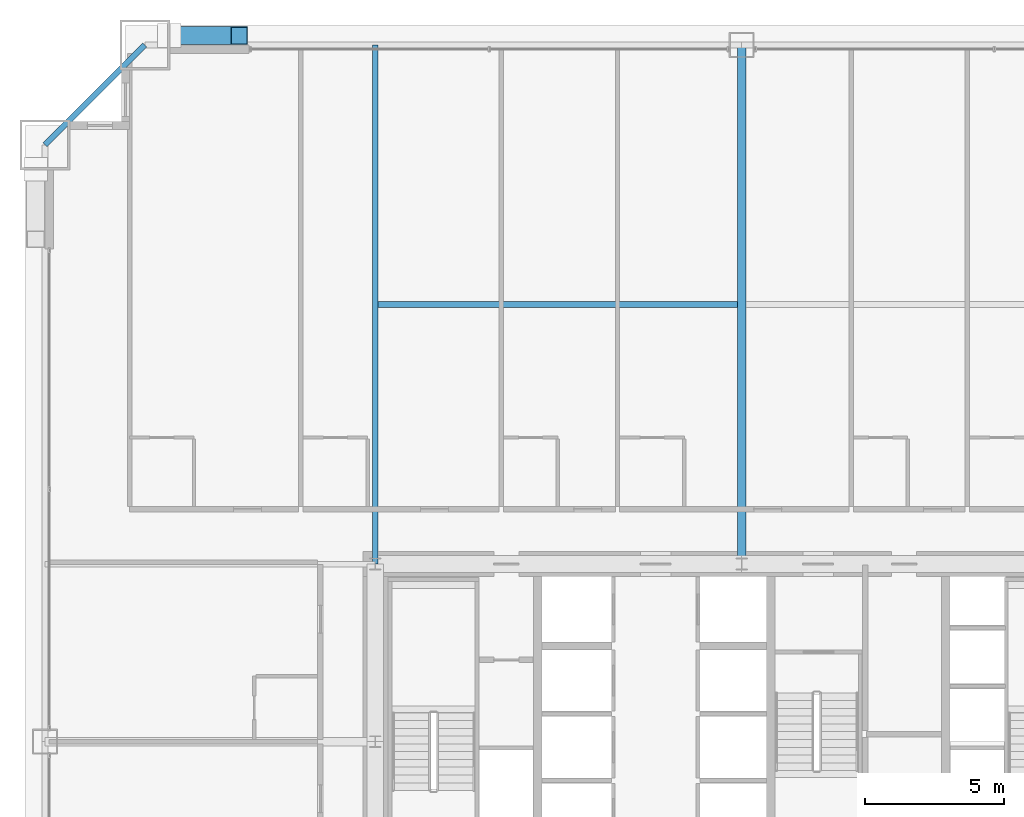
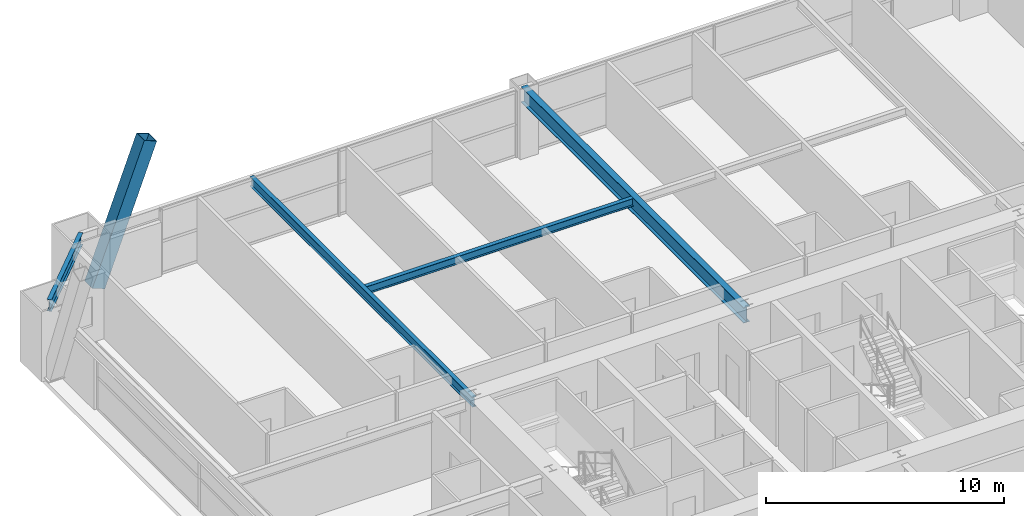
# One storey, part 25 of 43: 4 beams, 1 member.
"""IFC4 building model written with IfcOpenShell, lengths in metres."""

from ifc_helpers import new_model, si_unit, direction, frame, origin, origin_2d, place, context, subcontext, project, spatial, hollow_rectangle, i_section, extrude, source, transform, mapped, material, material_profile, profile_set, type_object, element, save


model = new_model("IFC4")

# Units and contexts
model_context = context("Model", 3, precision=1e-05, world=origin(), true_north=direction((0.0, 1.0)))
body_context = subcontext(model_context, "Body", "Model", "MODEL_VIEW")
ifc_project = project(units=[si_unit("LENGTHUNIT", "METRE"), si_unit("AREAUNIT", "SQUARE_METRE"), si_unit("VOLUMEUNIT", "CUBIC_METRE"), si_unit("PLANEANGLEUNIT", "RADIAN"), si_unit("MASSUNIT", "GRAM", prefix="KILO"), si_unit("THERMODYNAMICTEMPERATUREUNIT", "KELVIN"), si_unit("POWERUNIT", "WATT")], contexts=[model_context])

# Site, building, storey
site_placement = place(None, origin())
site = spatial("IfcSite", under=ifc_project, at=site_placement, CompositionType="ELEMENT")
building_placement = place(site_placement, origin())
building = spatial("IfcBuilding", under=site, at=building_placement, Name="Yuzanri Waterfront Tower", CompositionType="ELEMENT")
storey_placement = place(building_placement, frame((0.0, 0.0, 53.199951171875)))
storey = spatial("IfcBuildingStorey", under=building, at=storey_placement, Name="L13", CompositionType="ELEMENT", Elevation=53.199951171875)

# Beams
ifc_material_1 = material(Name="Steel Q355B", Category="steel")
ifc_material_profile_1 = material_profile(ifc_material_1, i_section(OverallWidth=0.199951171875, OverallDepth=0.60009765625, WebThickness=0.010986328125, FlangeThickness=0.01708984375, at=origin_2d()), Name="HN 600x200x11x17")
ifc_profile_set_1 = profile_set([ifc_material_profile_1], Name="Steel Q355B")
beam_type_1 = type_object("IfcBeamType", Name="Perimeter Spandrel Q355B HN 600x200", PredefinedType="SPANDREL", material=ifc_profile_set_1)
shared_shape_1 = source(origin(), body_context, "Body", "SweptSolid", [
    extrude(i_section(OverallWidth=0.199951171875, OverallDepth=0.60009765625, WebThickness=0.010986328125, FlangeThickness=0.01708984375, at=origin_2d()), origin(), (0.0, 0.0, 1.0), 5.091064453125),
])
beam_1_placement = place(storey_placement, frame((15.5, 50.89990234375, 3.080078125), z_axis=(-0.707130757816, -0.707082803744, 0.0), x_axis=(0.707082803744, -0.707130757816, 0.0)))
element("IfcBeam", 1, at=beam_1_placement, inside=storey, type_object=beam_type_1, Name="L13 Perimeter Spandrel N1-W3", PredefinedType="SPANDREL", context=body_context, shape_type="MappedRepresentation", body=[
    mapped(shared_shape_1, transform((0.0, 0.0, 0.0), scale=1.0)),
])
ifc_material_2 = material(Name="Steel Q355B", Category="steel")
ifc_material_profile_2 = material_profile(ifc_material_2, i_section(OverallWidth=0.300048828125, OverallDepth=0.800048828125, WebThickness=0.013916015625, FlangeThickness=0.02587890625, at=origin_2d()), Name="HN 800x300x14x26")
ifc_profile_set_2 = profile_set([ifc_material_profile_2], Name="Steel Q355B")
beam_type_2 = type_object("IfcBeamType", Name="Primary Floor Girder Q355B HN 800x300", PredefinedType="BEAM", material=ifc_profile_set_2)
shared_shape_2 = source(origin(), body_context, "Body", "SweptSolid", [
    extrude(i_section(OverallWidth=0.300048828125, OverallDepth=0.800048828125, WebThickness=0.013916015625, FlangeThickness=0.02587890625, at=origin_2d()), origin(), (0.0, 0.0, 1.0), 18.699951171875),
])
beam_2_placement = place(storey_placement, frame((37.0, 32.199951171875, 2.97998046875), z_axis=(0.0, 1.0, 0.0), x_axis=(-1.0, 0.0, 0.0)))
element("IfcBeam", 2, at=beam_2_placement, inside=storey, type_object=beam_type_2, Name="L13 North Grid Girder", PredefinedType="BEAM", context=body_context, shape_type="MappedRepresentation", body=[
    mapped(shared_shape_2, transform((0.0, 0.0, 0.0), scale=1.0)),
])
ifc_material_3 = material(Name="Steel Q355B", Category="steel")
ifc_material_profile_3 = material_profile(ifc_material_3, i_section(OverallWidth=0.199951171875, OverallDepth=0.5, WebThickness=0.010009765625, FlangeThickness=0.01611328125, at=origin_2d()), Name="HN 500x200x10x16")
ifc_profile_set_3 = profile_set([ifc_material_profile_3], Name="Steel Q355B")
beam_type_3 = type_object("IfcBeamType", Name="Secondary Floor Beam Q355B HN 500x200", PredefinedType="BEAM", material=ifc_profile_set_3)
shared_shape_3 = source(origin(), body_context, "Body", "SweptSolid", [
    extrude(i_section(OverallWidth=0.199951171875, OverallDepth=0.5, WebThickness=0.010009765625, FlangeThickness=0.01611328125, at=origin_2d()), origin(), (0.0, 0.0, 1.0), 18.699951171875),
])
beam_3_placement = place(storey_placement, frame((23.800048828125, 32.199951171875, 3.130126953125), z_axis=(0.0, 1.0, 0.0), x_axis=(-1.0, 0.0, 0.0)))
element("IfcBeam", 3, at=beam_3_placement, inside=storey, type_object=beam_type_3, Name="L13 North-West Core Line Beam", PredefinedType="BEAM", context=body_context, shape_type="MappedRepresentation", body=[
    mapped(shared_shape_3, transform((0.0, 0.0, 0.0), scale=1.0)),
])
ifc_material_4 = material(Name="Steel Q355B", Category="steel")
ifc_material_profile_4 = material_profile(ifc_material_4, i_section(OverallWidth=0.199951171875, OverallDepth=0.39990234375, WebThickness=0.008056640625, FlangeThickness=0.012939453125, at=origin_2d()), Name="HN 400x200x8x13")
ifc_profile_set_4 = profile_set([ifc_material_profile_4], Name="Steel Q355B")
beam_type_4 = type_object("IfcBeamType", Name="Floor Joist Q355B HN 400x200", PredefinedType="JOIST", material=ifc_profile_set_4)
shared_shape_4 = source(origin(), body_context, "Body", "SweptSolid", [
    extrude(i_section(OverallWidth=0.199951171875, OverallDepth=0.39990234375, WebThickness=0.008056640625, FlangeThickness=0.012939453125, at=origin_2d()), origin(), (0.0, 0.0, 1.0), 12.9501953125),
])
beam_4_placement = place(storey_placement, frame((23.89990234375, 41.550048828125, 3.179931640625), z_axis=(1.0, 0.0, 0.0), x_axis=(0.0, 1.0, 0.0)))
element("IfcBeam", 4, at=beam_4_placement, inside=storey, type_object=beam_type_4, Name="L13 North Bay Joist W", PredefinedType="JOIST", context=body_context, shape_type="MappedRepresentation", body=[
    mapped(shared_shape_4, transform((0.0, 0.0, 0.0), scale=1.0)),
])

# Member
ifc_material_5 = material(Name="Steel Q420GJC", Category="steel")
ifc_material_profile_5 = material_profile(ifc_material_5, hollow_rectangle(XDim=0.64990234375, YDim=0.64990234375, WallThickness=0.028076171875, at=origin_2d()), Name="RHS 650x650x28")
ifc_profile_set_5 = profile_set([ifc_material_profile_5], Name="Steel Q420GJC")
member_type = type_object("IfcMemberType", Name="Mega Brace Lower Q420GJC RHS 650x650x28", PredefinedType="BRACE", material=ifc_profile_set_5)
shared_shape_5 = source(origin(), body_context, "Body", "SweptSolid", [
    extrude(hollow_rectangle(XDim=0.64990234375, YDim=0.64990234375, WallThickness=0.028076171875, at=origin_2d()), origin(), (0.0, 0.0, 1.0), 7.158447265625),
])
member_placement = place(storey_placement, frame((16.3798828125, 51.239990234375, 0.179931640625), z_axis=(0.352035242291, 0.0, 0.935986745731), x_axis=(0.0, 1.0, 0.0)))
element("IfcMember", 5, at=member_placement, inside=storey, type_object=member_type, Name="L13-L14 Perimeter Mega-Brace N-L", PredefinedType="BRACE", context=body_context, shape_type="MappedRepresentation", body=[
    mapped(shared_shape_5, transform((0.0, 0.0, 0.0), scale=1.0)),
])

save(model, "model.ifc")
